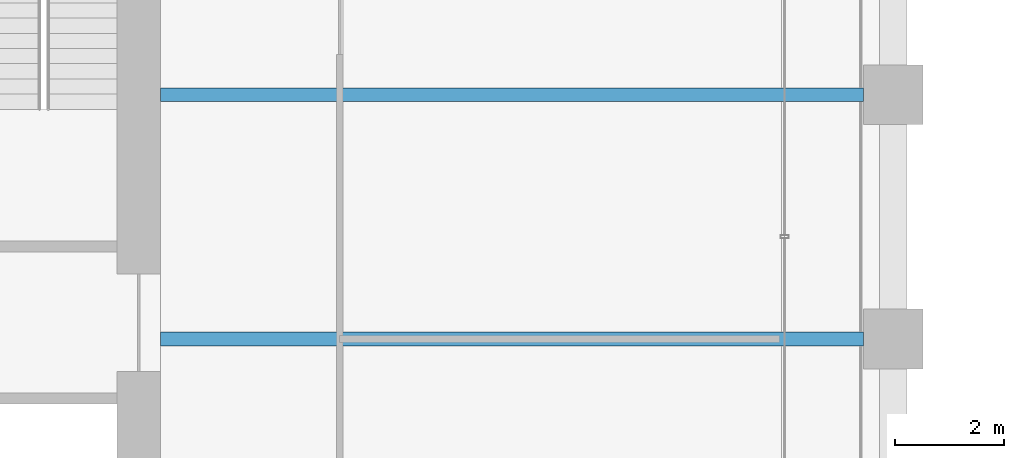
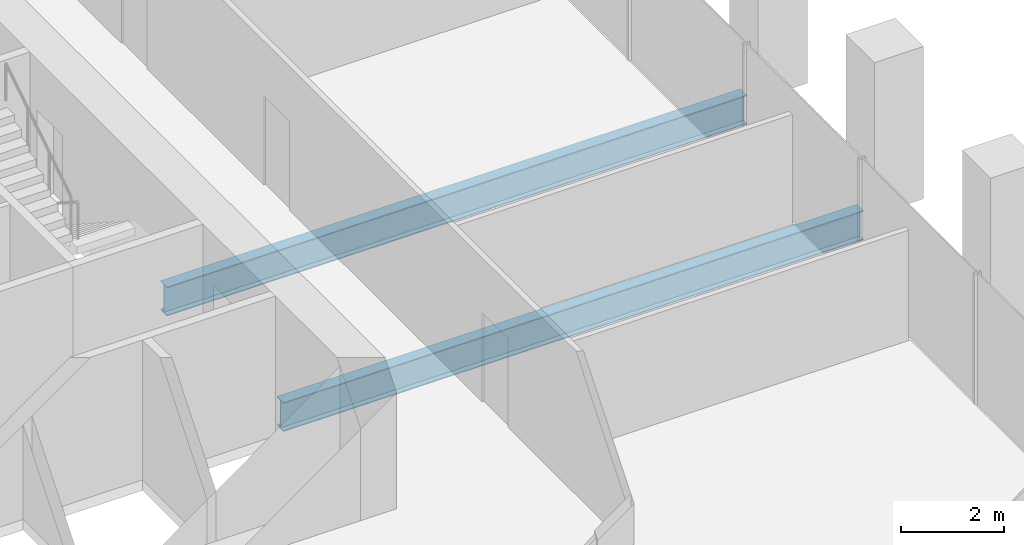
# One storey, part 19 of 56: 2 beams.
"""IFC4 building model written with IfcOpenShell, lengths in metres."""

from ifc_helpers import new_model, si_unit, direction, frame, origin, origin_2d, place, context, subcontext, project, spatial, i_section, extrude, material, material_profile, profile_set, type_object, element, save


model = new_model("IFC4")

# Units and contexts
model_context = context("Model", 3, precision=1e-05, world=origin(), true_north=direction((0.0, 1.0)))
body_context = subcontext(model_context, "Body", "Model", "MODEL_VIEW")
ifc_project = project(units=[si_unit("LENGTHUNIT", "METRE"), si_unit("AREAUNIT", "SQUARE_METRE"), si_unit("VOLUMEUNIT", "CUBIC_METRE"), si_unit("PLANEANGLEUNIT", "RADIAN"), si_unit("MASSUNIT", "GRAM", prefix="KILO")], contexts=[model_context])

# Site, building, storey
site_placement = place(None, origin())
site = spatial("IfcSite", under=ifc_project, at=site_placement, CompositionType="ELEMENT")
building_placement = place(site_placement, origin())
building = spatial("IfcBuilding", under=site, at=building_placement, Name="Altepetl Exchange Towers", CompositionType="ELEMENT")
storey_placement = place(building_placement, frame((0.0, 0.0, 83.39990234375)))
storey = spatial("IfcBuildingStorey", under=building, at=storey_placement, Name="L20", CompositionType="ELEMENT", Elevation=83.39990234375)

# Beams
ifc_material = material(Name="Steel S355", Category="steel")
ifc_material_profile = material_profile(ifc_material, i_section(OverallWidth=0.25390625, OverallDepth=0.68408203125, WebThickness=0.012451171875, FlangeThickness=0.018798828125, at=origin_2d()), Name="W27X94")
ifc_profile_set = profile_set([ifc_material_profile], Name="Steel S355")
beam_type = type_object("IfcBeamType", Name="Floor beam W27X94", PredefinedType="BEAM", material=ifc_profile_set)
for number, where, z_axis, x_axis, name in (
    (1, (58.5, 45.0, -0.491943359375), (1.0, 0.0, 0.0), (0.0, 1.0, 0.0), "bm:A:L20:009"),
    (2, (58.5, 49.5, -0.491943359375), (1.0, 0.0, 0.0), (0.0, 1.0, 0.0), "bm:A:L20:010"),
):
    element("IfcBeam", number, at=place(storey_placement, frame(where, z_axis=z_axis, x_axis=x_axis)), inside=storey, type_object=beam_type, Name=name, PredefinedType="BEAM", context=body_context, shape_type="SweptSolid", body=[
        extrude(i_section(OverallWidth=0.25390625, OverallDepth=0.68408203125, WebThickness=0.012451171875, FlangeThickness=0.018798828125, at=origin_2d()), origin(), (0.0, 0.0, 1.0), 12.949951171875),
    ])

save(model, "model.ifc")
